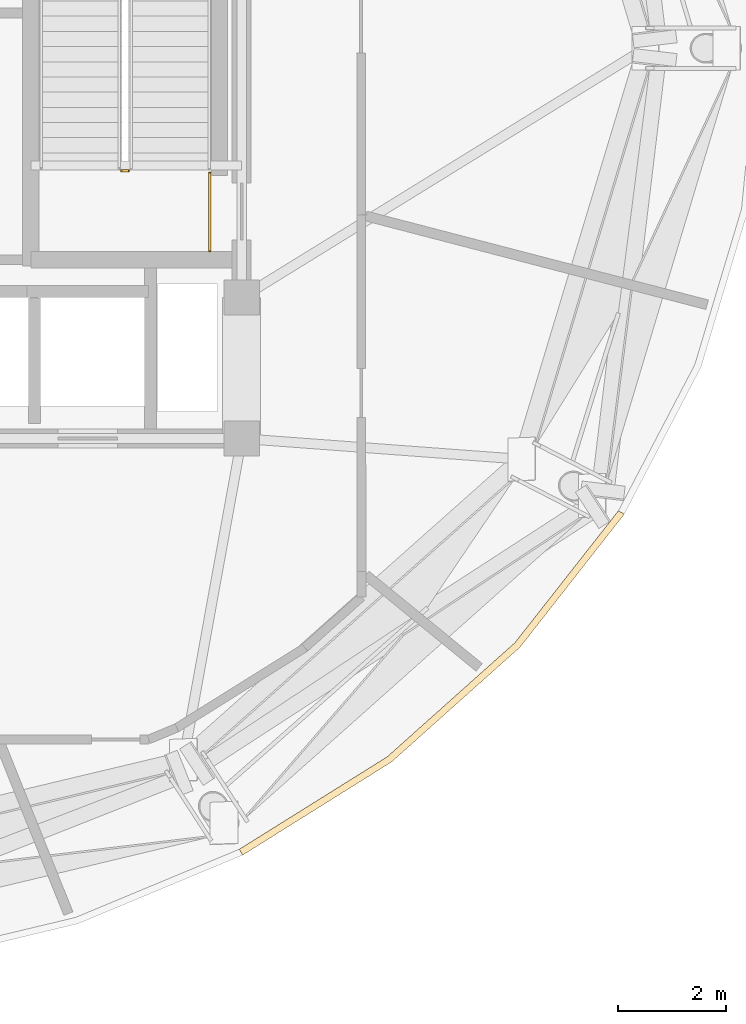
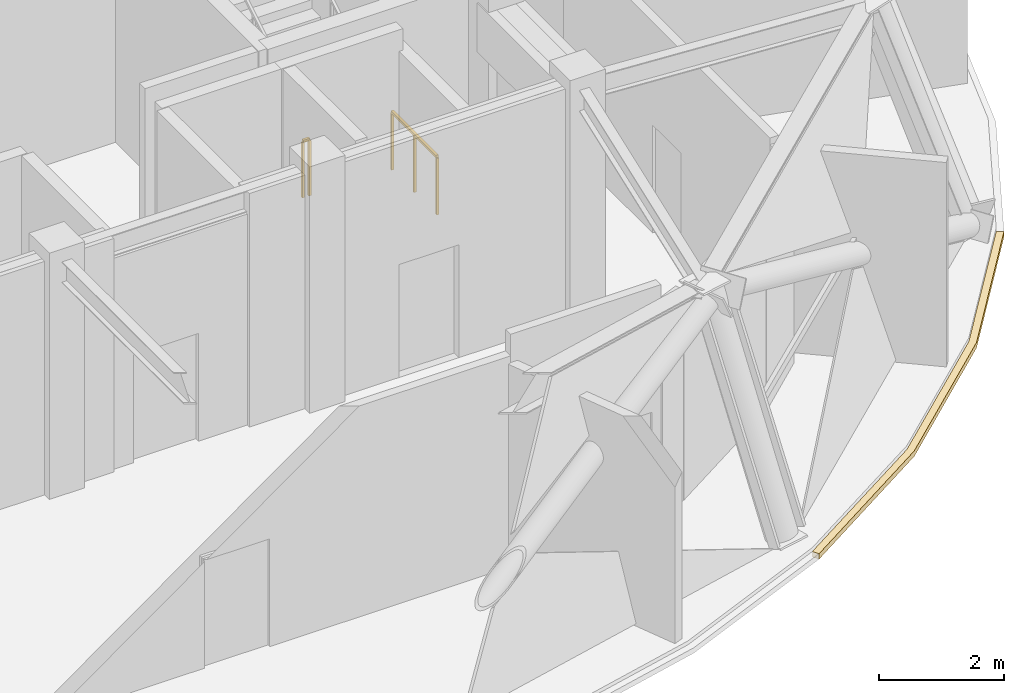
# One storey, part 9 of 11: 2 railings, 1 covering.
"""IFC4 building model written with IfcOpenShell, lengths in metres."""

from ifc_helpers import new_model, si_unit, direction, frame, origin, origin_2d, place, context, subcontext, project, spatial, polyline, rectangle, outline, extrude, material, layer, layer_set, type_object, element, save


model = new_model("IFC4")

# Units and contexts
model_context = context("Model", 3, precision=1e-05, world=origin(), true_north=direction((0.0, 1.0)))
body_context = subcontext(model_context, "Body", "Model", "MODEL_VIEW")
ifc_project = project(units=[si_unit("LENGTHUNIT", "METRE"), si_unit("AREAUNIT", "SQUARE_METRE"), si_unit("VOLUMEUNIT", "CUBIC_METRE"), si_unit("PLANEANGLEUNIT", "RADIAN"), si_unit("MASSUNIT", "GRAM", prefix="KILO")], contexts=[model_context])

# Site, building, storey
site_placement = place(None, origin())
site = spatial("IfcSite", under=ifc_project, at=site_placement, CompositionType="ELEMENT")
building_placement = place(site_placement, origin())
building = spatial("IfcBuilding", under=site, at=building_placement, Name="Vantalir Tower", CompositionType="ELEMENT")
storey_placement = place(building_placement, frame((0.0, 0.0, 299.699951171875)))
storey = spatial("IfcBuildingStorey", under=building, at=storey_placement, Name="L75", CompositionType="ELEMENT", Elevation=299.699951171875)

# Covering
ifc_material_1 = material(Name="Anodised champagne aluminium sill fascia", Category="aluminium")
ifc_layer = layer(ifc_material_1, 0.125)
ifc_layer_set = layer_set([ifc_layer], Name="Anodised champagne aluminium sill fascia")
covering_type = type_object("IfcCoveringType", Name="COV-SLAB-FASCIA-125", PredefinedType="CLADDING", material=ifc_layer_set)
covering_placement = place(storey_placement, frame((0.0, 0.0, -0.179931640625)))
element("IfcCovering", 1, at=covering_placement, inside=storey, type_object=covering_type, Name="L75 Perimeter Slab-Edge Sill Fascia 11", PredefinedType="CLADDING", context=body_context, shape_type="SweptSolid", body=[
    extrude(outline(polyline([(41.117919921875, 10.115966796875), (43.864013671875, 11.833984375), (46.235107421875, 13.951904296875), (48.157958984375, 16.406005859375), (48.050048828125, 16.468994140625), (46.138916015625, 14.032958984375), (43.783935546875, 11.929931640625), (41.054931640625, 10.22412109375), (41.117919921875, 10.115966796875)])), origin(), (0.0, 0.0, 1.0), 0.10498046875),
])

# Railings
ifc_material_2 = material(Name="Anodised aluminium and stainless steel guard", Category="steel")
railing_type = type_object("IfcRailingType", Name="RAL-GUARD-1120", PredefinedType="GUARDRAIL", material=ifc_material_2)
railing_1_placement = place(storey_placement, frame((39.010009765625, 22.739990234375, 0.0)))
element("IfcRailing", 2, at=railing_1_placement, inside=storey, type_object=railing_type, Name="L75 ST2 stair guard 4", PredefinedType="GUARDRAIL", context=body_context, shape_type="SweptSolid", body=[
    extrude(rectangle(XDim=0.048095703125, YDim=0.048095703125, at=origin_2d()), frame((0.0, 0.0, 1.09619140625), z_axis=(-1.0, 0.0, 0.0), x_axis=(0.0, -1.0, 0.0)), (0.0, 0.0, 1.0), 0.1201171875),
    extrude(rectangle(XDim=0.0419921875, YDim=0.0419921875, at=origin_2d()), origin(), (0.0, 0.0, 1.0), 1.072021484375),
    extrude(rectangle(XDim=0.0419921875, YDim=0.0419921875, at=origin_2d()), frame((-0.1201171875, 0.0, 0.0)), (0.0, 0.0, 1.0), 1.072021484375),
])
railing_2_placement = place(storey_placement, frame((40.510009765625, 21.260009765625, 0.0)))
element("IfcRailing", 3, at=railing_2_placement, inside=storey, type_object=railing_type, Name="L75 Stair ST2 Doorway Landing Guard", PredefinedType="GUARDRAIL", context=body_context, shape_type="SweptSolid", body=[
    extrude(rectangle(XDim=0.048095703125, YDim=0.048095703125, at=origin_2d()), frame((0.0, 0.0, 1.1259765625), z_axis=(0.0, 1.0, 0.0), x_axis=(-1.0, 0.0, 0.0)), (0.0, 0.0, 1.0), 1.43994140625),
    extrude(rectangle(XDim=0.0419921875, YDim=0.0419921875, at=origin_2d()), origin(), (0.0, 0.0, 1.0), 1.101806640625),
    extrude(rectangle(XDim=0.0419921875, YDim=0.0419921875, at=origin_2d()), frame((0.0, 0.719970703125, 0.0)), (0.0, 0.0, 1.0), 1.101806640625),
    extrude(rectangle(XDim=0.0419921875, YDim=0.0419921875, at=origin_2d()), frame((0.0, 1.43994140625, 0.0)), (0.0, 0.0, 1.0), 1.101806640625),
])

save(model, "model.ifc")
